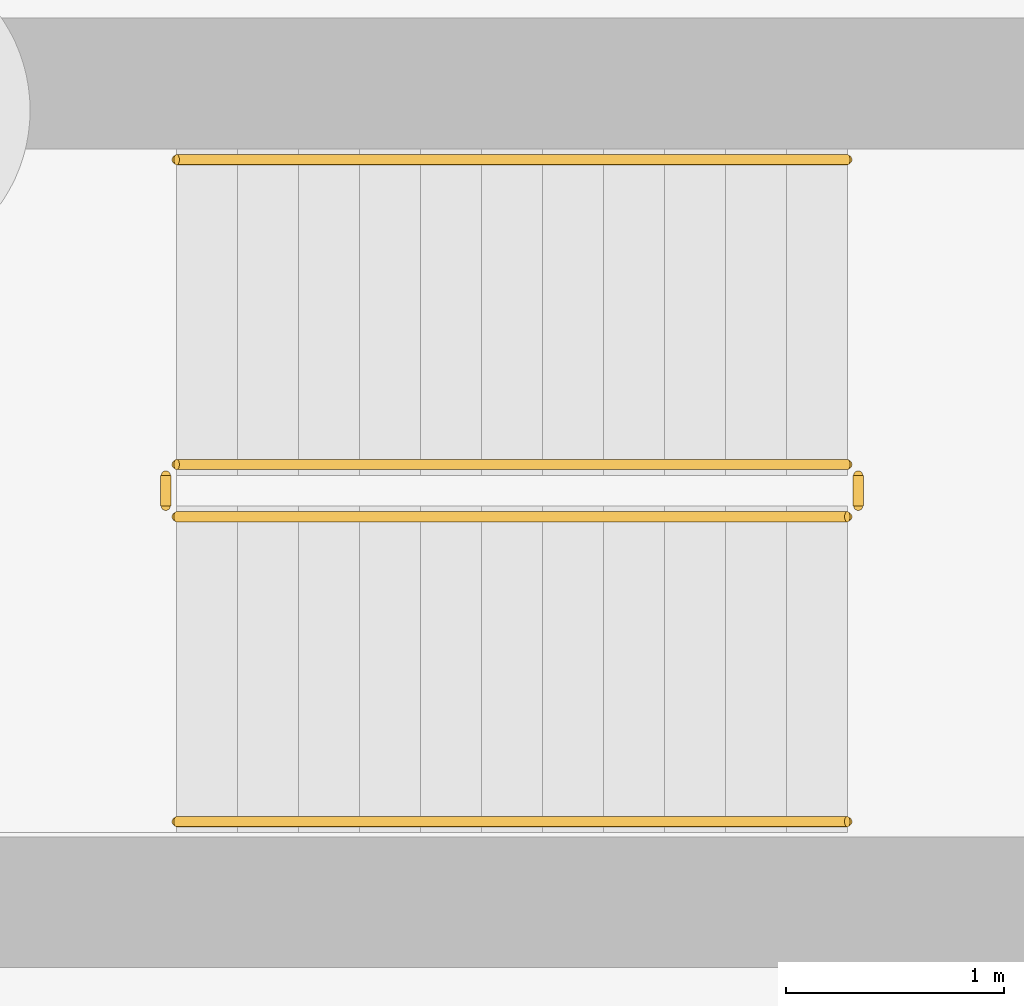
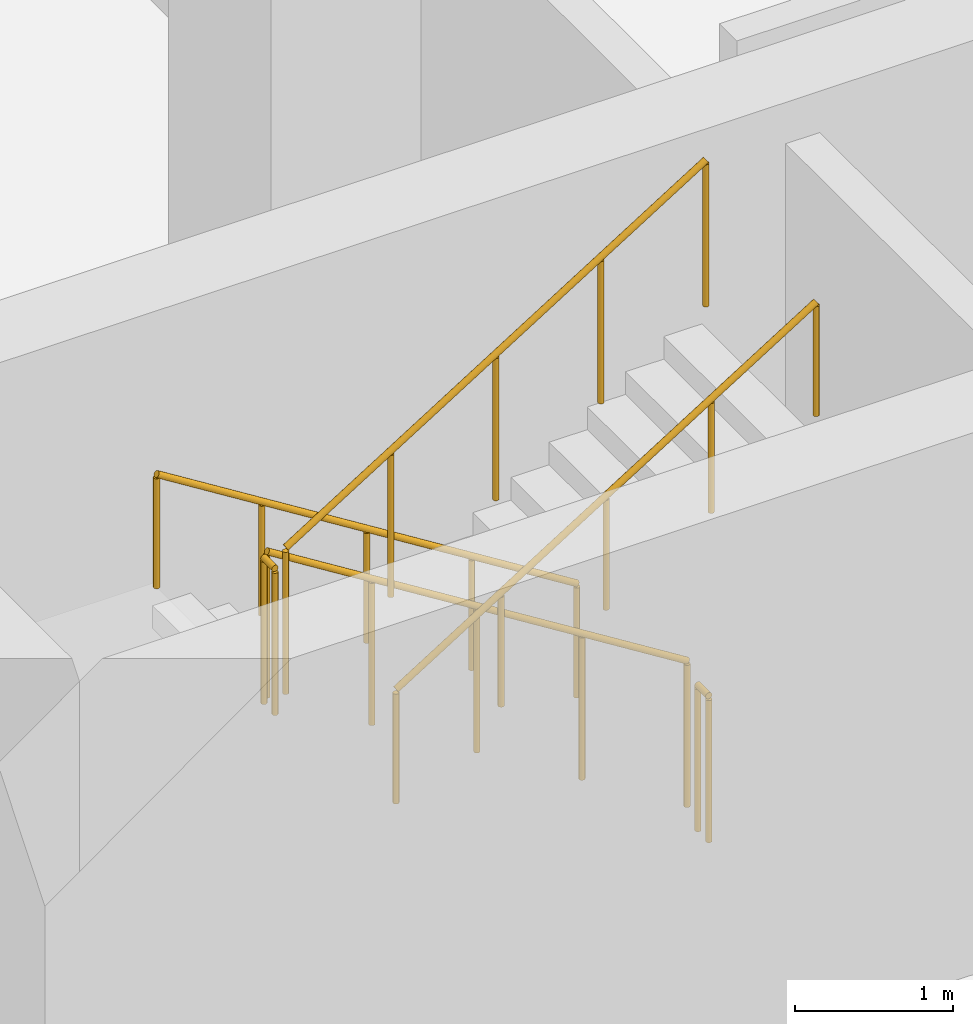
# One storey, part 10 of 14: 6 railings.
"""IFC4 building model written with IfcOpenShell, lengths in metres."""

import ifcopenshell
import ifcopenshell.guid

model = None  # the IFC model being written
_history = None  # IfcOwnerHistory: only IFC2X3 demands one
_inside = {}  # id of a spatial element -> (the spatial element, [elements in it])
_under = {}  # id of a project, library or spatial element -> (it, [spatial elements below it])
_declared = {}  # id of a project -> (the project, [libraries it declares])
_typed = {}  # id of a type object -> (the type object, [elements of that type])
_made_of = {}  # id of a material, layer set ... -> (it, [elements and type objects made of it])


def new_model(schema):
    """Start an empty IFC model of exactly this schema.

    Asked for "IFC4X3", IfcOpenShell would pick the latest addendum, in which some entities
    have other attributes; the version numbers below select the first issue.
    IFC2X3 requires an IfcOwnerHistory on every rooted entity: one is made here for all.
    """
    global model, _history
    if schema == "IFC4X3":
        model = ifcopenshell.file(schema_version=(4, 3, 0, 0))
    else:
        model = ifcopenshell.file(schema=schema)
    _inside.clear()
    _under.clear()
    _declared.clear()
    _typed.clear()
    _made_of.clear()
    _history = None
    if model.schema == "IFC2X3":
        org = make("IfcOrganization", Name="unknown")
        user = make(
            "IfcPersonAndOrganization",
            ThePerson=make("IfcPerson", FamilyName="unknown"),
            TheOrganization=org,
        )
        app = make(
            "IfcApplication",
            ApplicationDeveloper=org,
            Version="unknown",
            ApplicationFullName="unknown",
            ApplicationIdentifier="unknown",
        )
        _history = make(
            "IfcOwnerHistory",
            OwningUser=user,
            OwningApplication=app,
            ChangeAction="ADDED",
            CreationDate=0,
        )
    return model


def make(cls, **values):
    """One entity of the class cls with the attributes given. An attribute that is None is left unset."""
    return model.create_entity(
        cls, **{name: value for name, value in values.items() if value is not None}
    )


def rooted(cls, **values):
    """An entity with a GlobalId (a new one), such as an element, a storey or a relation."""
    return make(cls, GlobalId=ifcopenshell.guid.new(), OwnerHistory=_history, **values)


def si_unit(unit_type, name, prefix=None):
    """IfcSIUnit, for example si_unit("LENGTHUNIT", "METRE", prefix="MILLI")."""
    return make("IfcSIUnit", UnitType=unit_type, Prefix=prefix, Name=name)


def derived_unit(unit_type, elements):
    """IfcDerivedUnit: a product of units, each with its exponent."""
    return make(
        "IfcDerivedUnit",
        Elements=[
            make("IfcDerivedUnitElement", Unit=unit, Exponent=power)
            for unit, power in elements
        ],
        UnitType=unit_type,
    )


def assignment(units):
    """IfcUnitAssignment: the units of a project."""
    return None if units is None else make("IfcUnitAssignment", Units=units)


def point(xyz):
    """IfcCartesianPoint."""
    return None if xyz is None else make("IfcCartesianPoint", Coordinates=xyz)


def direction(xyz):
    """IfcDirection."""
    return None if xyz is None else make("IfcDirection", DirectionRatios=xyz)


def frame(location, z_axis=None, x_axis=None):
    """IfcAxis2Placement3D, a coordinate frame: its origin and axes. An axis left out is left unset."""
    return make(
        "IfcAxis2Placement3D",
        Location=point(location),
        Axis=direction(z_axis),
        RefDirection=direction(x_axis),
    )


def frame_2d(location, x_axis=None):
    """IfcAxis2Placement2D, a coordinate frame in the plane: its origin and x axis."""
    return make(
        "IfcAxis2Placement2D", Location=point(location), RefDirection=direction(x_axis)
    )


def origin():
    """The frame at (0, 0, 0) with its axes left unset."""
    return frame((0.0, 0.0, 0.0))


def origin_2d():
    """The frame at (0, 0) in the plane with its x axis left unset."""
    return frame_2d((0.0, 0.0))


def place(relative_to, where):
    """IfcLocalPlacement: puts the frame where relative to a parent placement (None: the world)."""
    return make(
        "IfcLocalPlacement", PlacementRelTo=relative_to, RelativePlacement=where
    )


def context(
    kind, dimensions, precision=None, world=None, true_north=None, identifier=None
):
    """IfcGeometricRepresentationContext, for example the 3D "Model" context."""
    return make(
        "IfcGeometricRepresentationContext",
        ContextIdentifier=identifier,
        ContextType=kind,
        CoordinateSpaceDimension=dimensions,
        Precision=precision,
        WorldCoordinateSystem=world,
        TrueNorth=true_north,
    )


def subcontext(parent, identifier, kind, view, scale=None):
    """IfcGeometricRepresentationSubContext, for example "Body" below "Model"."""
    return make(
        "IfcGeometricRepresentationSubContext",
        ContextIdentifier=identifier,
        ContextType=kind,
        ParentContext=parent,
        TargetScale=scale,
        TargetView=view,
    )


def project(units=None, contexts=None):
    """IfcProject with its units and contexts."""
    return rooted(
        "IfcProject",
        Name="project",
        RepresentationContexts=contexts,
        UnitsInContext=assignment(units),
    )


def spatial(cls, under=None, at=None, **own):
    """A site, building, storey or space (cls), placed at a placement, below another one or the project."""
    s = rooted(cls, ObjectPlacement=at, **own)
    if under is not None:
        _under.setdefault(under.id(), (under, []))[1].append(s)
    return s


def profile(cls, at=None, kind="AREA", **sizes):
    """A parametric profile (cls). Its sizes go by their IFC names, for example OverallWidth=200.0."""
    return make(cls, ProfileType=kind, Position=at, **sizes)


def circle(**sizes):
    """IfcCircleProfileDef."""
    return profile("IfcCircleProfileDef", **sizes)


def extrude(swept, where, along, depth):
    """IfcExtrudedAreaSolid: the profile swept, set in the frame where, extruded along a direction by depth."""
    return make(
        "IfcExtrudedAreaSolid",
        SweptArea=swept,
        Position=where,
        ExtrudedDirection=direction(along),
        Depth=depth,
    )


def shape(context_of_items, identifier, shape_type, items):
    """IfcShapeRepresentation: the items that make up one representation, for example the "Body"."""
    return make(
        "IfcShapeRepresentation",
        ContextOfItems=context_of_items,
        RepresentationIdentifier=identifier,
        RepresentationType=shape_type,
        Items=items,
    )


def material(Name=None, Category=None):
    """IfcMaterial."""
    return make("IfcMaterial", Name=Name, Category=Category)


def made_of(thing, what):
    """Note that an element or type object is made of a material, layer set ...; save() writes the relation."""
    if what is not None:
        _made_of.setdefault(what.id(), (what, []))[1].append(thing)
    return thing


def type_object(cls, material=None, **own):
    """A type object (cls), such as IfcWallType, which elements share."""
    return made_of(rooted(cls, **own), material)


def element(
    cls,
    number,
    at=None,
    inside=None,
    cuts=None,
    type_object=None,
    material=None,
    context=None,
    identifier="Body",
    shape_type=None,
    held_by="IfcProductDefinitionShape",
    body=None,
    shapes=None,
    **own,
):
    """One element of the class cls, such as IfcWall. Its Tag is "e" and its number.

    at: its placement. inside: the storey or other place that contains it. cuts: it is an
    opening in that element (IfcRelVoidsElement). A single representation is given by context,
    identifier, shape_type and body (its items); several are given by shapes. held_by: the class
    of the entity that holds the representations. save() writes the other relations.
    """
    e = rooted(cls, Tag="e%d" % number, ObjectPlacement=at, **own)
    if body is not None:
        shapes = [shape(context, identifier, shape_type, body)]
    if shapes is not None:
        e.Representation = make(held_by, Representations=shapes)
    if inside is not None:
        _inside.setdefault(inside.id(), (inside, []))[1].append(e)
    if cuts is not None:
        rooted(
            "IfcRelVoidsElement", RelatingBuildingElement=cuts, RelatedOpeningElement=e
        )
    if type_object is not None:
        _typed.setdefault(type_object.id(), (type_object, []))[1].append(e)
    return made_of(e, material)


def aggregate(whole, parts):
    """IfcRelAggregates: a whole, such as a stair, and the parts it consists of."""
    return rooted("IfcRelAggregates", RelatingObject=whole, RelatedObjects=parts)


def save(model, path):
    """Write the relations noted so far, then the file.

    IfcRelAggregates (storeys below a building ...), IfcRelContainedInSpatialStructure (elements
    in a storey), IfcRelDefinesByType, IfcRelAssociatesMaterial and IfcRelDeclares: one each for
    every whole, place, type object, material and project.
    """
    for whole, parts in _under.values():
        aggregate(whole, parts)
    for where, things in _inside.values():
        rooted(
            "IfcRelContainedInSpatialStructure",
            RelatedElements=things,
            RelatingStructure=where,
        )
    for kind, things in _typed.values():
        rooted("IfcRelDefinesByType", RelatedObjects=things, RelatingType=kind)
    for what, things in _made_of.values():
        rooted("IfcRelAssociatesMaterial", RelatedObjects=things, RelatingMaterial=what)
    for by, libraries in _declared.values():
        rooted("IfcRelDeclares", RelatingContext=by, RelatedDefinitions=libraries)
    model.write(path)


model = new_model("IFC4")

# Units and contexts
model_context = context("Model", 3, precision=1e-05, world=origin(), true_north=direction((0.0, 1.0)))
body_context = subcontext(model_context, "Body", "Model", "MODEL_VIEW")
ifc_project = project(units=[si_unit("LENGTHUNIT", "METRE"), si_unit("AREAUNIT", "SQUARE_METRE"), si_unit("VOLUMEUNIT", "CUBIC_METRE"), si_unit("PLANEANGLEUNIT", "RADIAN"), si_unit("MASSUNIT", "GRAM", prefix="KILO"), derived_unit("THERMALTRANSMITTANCEUNIT", [(si_unit("POWERUNIT", "WATT"), 1), (si_unit("LENGTHUNIT", "METRE"), -2), (si_unit("THERMODYNAMICTEMPERATUREUNIT", "KELVIN"), -1)])], contexts=[model_context])

# Site, building, storey
site_placement = place(None, origin())
site = spatial("IfcSite", under=ifc_project, at=site_placement, CompositionType="ELEMENT")
building_placement = place(site_placement, origin())
building = spatial("IfcBuilding", under=site, at=building_placement, Name="Kivonza Crest Hotel", CompositionType="ELEMENT")
storey_placement = place(building_placement, frame((0.0, 0.0, -8.39990234375)))
storey = spatial("IfcBuildingStorey", under=building, at=storey_placement, Name="B2", CompositionType="ELEMENT", Elevation=-8.39990234375)

# Railings
ifc_material_1 = material(Name="Brushed stainless steel handrail", Category="steel")
railing_type_1 = type_object("IfcRailingType", Name="RL-HAND-900", PredefinedType="HANDRAIL", material=ifc_material_1)
railing_1_placement = place(storey_placement, frame((12.239990234375, 16.949951171875, 0.1748046875)))
element("IfcRailing", 1, at=railing_1_placement, inside=storey, type_object=railing_type_1, Name="B2 ST-T1-S stair handrail 1", PredefinedType="HANDRAIL", context=body_context, shape_type="SweptSolid", body=[
    extrude(circle(Radius=0.02392578125, at=origin_2d()), frame((0.0, 0.0, 0.8759765625), z_axis=(-0.847998304005, 0.0, 0.529998940003), x_axis=(0.0, -1.0, 0.0)), (0.0, 0.0, 1.0), 3.632080078125),
    extrude(circle(Radius=0.02099609375, at=origin_2d()), origin(), (0.0, 0.0, 1.0), 0.851806640625),
    extrude(circle(Radius=0.02099609375, at=origin_2d()), frame((-0.77001953125, 0.0, 0.481201171875)), (0.0, 0.0, 1.0), 0.851806640625),
    extrude(circle(Radius=0.02099609375, at=origin_2d()), frame((-1.5400390625, 0.0, 0.96240234375)), (0.0, 0.0, 1.0), 0.851806640625),
    extrude(circle(Radius=0.02099609375, at=origin_2d()), frame((-2.31005859375, 0.0, 1.44384765625)), (0.0, 0.0, 1.0), 0.851806640625),
    extrude(circle(Radius=0.02099609375, at=origin_2d()), frame((-3.080078125, 0.0, 1.925048828125)), (0.0, 0.0, 1.0), 0.851806640625),
])
railing_2_placement = place(storey_placement, frame((9.159912109375, 13.909912109375, 2.27490234375)))
element("IfcRailing", 2, at=railing_2_placement, inside=storey, type_object=railing_type_1, Name="B2 ST-T1-S stair handrail 2", PredefinedType="HANDRAIL", context=body_context, shape_type="SweptSolid", body=[
    extrude(circle(Radius=0.02392578125, at=origin_2d()), frame((0.0, 0.0, 0.8759765625), z_axis=(0.847998304005, 0.0, 0.529998940003), x_axis=(0.0, 1.0, 0.0)), (0.0, 0.0, 1.0), 3.632080078125),
    extrude(circle(Radius=0.02099609375, at=origin_2d()), origin(), (0.0, 0.0, 1.0), 0.851806640625),
    extrude(circle(Radius=0.02099609375, at=origin_2d()), frame((0.77001953125, 0.0, 0.481201171875)), (0.0, 0.0, 1.0), 0.851806640625),
    extrude(circle(Radius=0.02099609375, at=origin_2d()), frame((1.5400390625, 0.0, 0.96240234375)), (0.0, 0.0, 1.0), 0.851806640625),
    extrude(circle(Radius=0.02099609375, at=origin_2d()), frame((2.31005859375, 0.0, 1.44384765625)), (0.0, 0.0, 1.0), 0.851806640625),
    extrude(circle(Radius=0.02099609375, at=origin_2d()), frame((3.080078125, 0.0, 1.925048828125)), (0.0, 0.0, 1.0), 0.851806640625),
])
ifc_material_2 = material(Name="Painted steel balustrade", Category="steel")
railing_type_2 = type_object("IfcRailingType", Name="RL-STAIR-1150", PredefinedType="BALUSTRADE", material=ifc_material_2)
railing_3_placement = place(storey_placement, frame((12.239990234375, 15.550048828125, 0.1748046875)))
element("IfcRailing", 3, at=railing_3_placement, inside=storey, type_object=railing_type_2, Name="B2 ST-T1-S stair guard 1", PredefinedType="BALUSTRADE", context=body_context, shape_type="SweptSolid", body=[
    extrude(circle(Radius=0.02392578125, at=origin_2d()), frame((0.0, 0.0, 1.1259765625), z_axis=(-0.847998304005, 0.0, 0.529998940003), x_axis=(0.0, -1.0, 0.0)), (0.0, 0.0, 1.0), 3.632080078125),
    extrude(circle(Radius=0.02099609375, at=origin_2d()), origin(), (0.0, 0.0, 1.0), 1.101806640625),
    extrude(circle(Radius=0.02099609375, at=origin_2d()), frame((-0.77001953125, 0.0, 0.481201171875)), (0.0, 0.0, 1.0), 1.101806640625),
    extrude(circle(Radius=0.02099609375, at=origin_2d()), frame((-1.5400390625, 0.0, 0.96240234375)), (0.0, 0.0, 1.0), 1.101806640625),
    extrude(circle(Radius=0.02099609375, at=origin_2d()), frame((-2.31005859375, 0.0, 1.44384765625)), (0.0, 0.0, 1.0), 1.101806640625),
    extrude(circle(Radius=0.02099609375, at=origin_2d()), frame((-3.080078125, 0.0, 1.925048828125)), (0.0, 0.0, 1.0), 1.101806640625),
])
railing_4_placement = place(storey_placement, frame((9.110107421875, 15.5, 2.099853515625)))
element("IfcRailing", 4, at=railing_4_placement, inside=storey, type_object=railing_type_2, Name="B2 ST-T1-S stair guard 2", PredefinedType="BALUSTRADE", context=body_context, shape_type="SweptSolid", body=[
    extrude(circle(Radius=0.02392578125, at=origin_2d()), frame((0.0, 0.0, 1.1259765625), z_axis=(0.0, -1.0, 0.0), x_axis=(1.0, 0.0, 0.0)), (0.0, 0.0, 1.0), 0.139892578125),
    extrude(circle(Radius=0.02099609375, at=origin_2d()), origin(), (0.0, 0.0, 1.0), 1.101806640625),
    extrude(circle(Radius=0.02099609375, at=origin_2d()), frame((0.0, -0.139892578125, 0.0)), (0.0, 0.0, 1.0), 1.101806640625),
])
railing_5_placement = place(storey_placement, frame((9.159912109375, 15.31005859375, 2.27490234375)))
element("IfcRailing", 5, at=railing_5_placement, inside=storey, type_object=railing_type_2, Name="B2 ST-T1-S stair guard 3", PredefinedType="BALUSTRADE", context=body_context, shape_type="SweptSolid", body=[
    extrude(circle(Radius=0.02392578125, at=origin_2d()), frame((0.0, 0.0, 1.1259765625), z_axis=(0.847998304005, 0.0, 0.529998940003), x_axis=(0.0, 1.0, 0.0)), (0.0, 0.0, 1.0), 3.632080078125),
    extrude(circle(Radius=0.02099609375, at=origin_2d()), origin(), (0.0, 0.0, 1.0), 1.101806640625),
    extrude(circle(Radius=0.02099609375, at=origin_2d()), frame((0.77001953125, 0.0, 0.481201171875)), (0.0, 0.0, 1.0), 1.101806640625),
    extrude(circle(Radius=0.02099609375, at=origin_2d()), frame((1.5400390625, 0.0, 0.96240234375)), (0.0, 0.0, 1.0), 1.101806640625),
    extrude(circle(Radius=0.02099609375, at=origin_2d()), frame((2.31005859375, 0.0, 1.44384765625)), (0.0, 0.0, 1.0), 1.101806640625),
    extrude(circle(Radius=0.02099609375, at=origin_2d()), frame((3.080078125, 0.0, 1.925048828125)), (0.0, 0.0, 1.0), 1.101806640625),
])
railing_6_placement = place(storey_placement, frame((12.2900390625, 15.5, 0.0)))
element("IfcRailing", 6, at=railing_6_placement, inside=storey, type_object=railing_type_2, Name="B2 ST-T1-S stair guard 4", PredefinedType="BALUSTRADE", context=body_context, shape_type="SweptSolid", body=[
    extrude(circle(Radius=0.02392578125, at=origin_2d()), frame((0.0, 0.0, 1.1259765625), z_axis=(0.0, -1.0, 0.0), x_axis=(1.0, 0.0, 0.0)), (0.0, 0.0, 1.0), 0.139892578125),
    extrude(circle(Radius=0.02099609375, at=origin_2d()), origin(), (0.0, 0.0, 1.0), 1.101806640625),
    extrude(circle(Radius=0.02099609375, at=origin_2d()), frame((0.0, -0.139892578125, 0.0)), (0.0, 0.0, 1.0), 1.101806640625),
])

save(model, "model.ifc")
